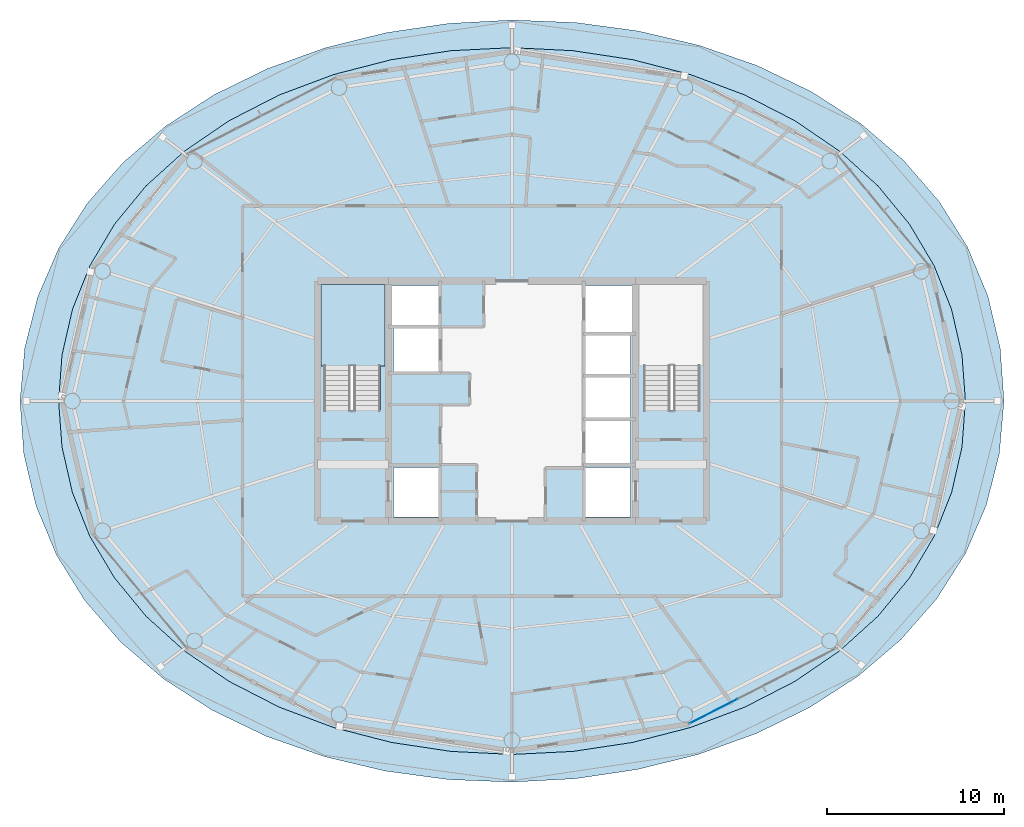
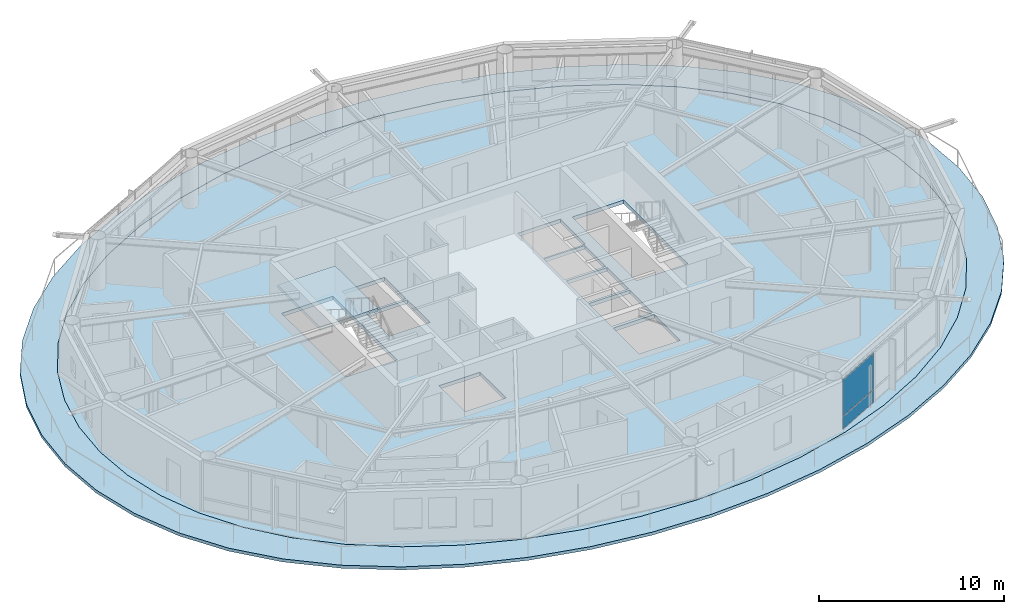
# One storey, part 13 of 23: 3 slabs, 2 plates, 2 elements without a shape of their own.
"""IFC4 building model written with IfcOpenShell, lengths in metres."""

from ifc_helpers import new_model, si_unit, direction, frame, origin, origin_2d, place, context, subcontext, project, spatial, polyline, rectangle, outline, extrude, material, layer, layer_set, type_object, element, aggregate, save


model = new_model("IFC4")

# Units and contexts
model_context = context("Model", 3, precision=1e-05, world=origin(), true_north=direction((0.0, 1.0)))
body_context = subcontext(model_context, "Body", "Model", "MODEL_VIEW")
ifc_project = project(units=[si_unit("LENGTHUNIT", "METRE"), si_unit("AREAUNIT", "SQUARE_METRE"), si_unit("VOLUMEUNIT", "CUBIC_METRE"), si_unit("PLANEANGLEUNIT", "RADIAN"), si_unit("MASSUNIT", "GRAM", prefix="KILO")], contexts=[model_context])

# Site, building, storey
site_placement = place(None, origin())
site = spatial("IfcSite", under=ifc_project, at=site_placement, CompositionType="ELEMENT")
building_placement = place(site_placement, origin())
building = spatial("IfcBuilding", under=site, at=building_placement, Name="Sarneth Arch Tower", CompositionType="ELEMENT")
storey_placement = place(building_placement, frame((0.0, 0.0, 220.800048828125)))
storey = spatial("IfcBuildingStorey", under=building, at=storey_placement, Name="L56", CompositionType="ELEMENT", Elevation=220.800048828125)

# Curtain wall, plates
ifc_material_1 = material(Name="Anodised aluminium Type AA25 and solar-control low-e laminated IGU", Category="aluminium")
ifc_layer_1 = layer(ifc_material_1, 0.179931640625)
ifc_layer_set_1 = layer_set([ifc_layer_1], Name="Anodised aluminium Type AA25 and solar-control low-e laminated IGU")
curtain_wall_type = type_object("IfcCurtainWallType", Name="CW-RES-HIGH", PredefinedType="NOTDEFINED", material=ifc_layer_set_1)
curtain_wall_placement = place(storey_placement, origin())
curtain_wall = element("IfcCurtainWall", 1, at=curtain_wall_placement, inside=storey, type_object=curtain_wall_type, Name="L56 Unitised curtain wall facet 14", PredefinedType="NOTDEFINED")
ifc_material_2 = material(Name="Solar-control low-e laminated IGU", Category="glass")
ifc_layer_2 = layer(ifc_material_2, 0.028076171875)
ifc_layer_set_2 = layer_set([ifc_layer_2], Name="Solar-control low-e laminated IGU")
plate_type = type_object("IfcPlateType", Name="CW-PANEL", PredefinedType="CURTAIN_PANEL", material=ifc_layer_set_2)
plate_1_placement = place(storey_placement, frame((59.4208984375, 24.447021484375, 0.059814453125), z_axis=(0.0, 0.0, 1.0), x_axis=(0.890009540525, 0.455941901753, 0.0)))
plate_1 = element("IfcPlate", 2, at=plate_1_placement, type_object=plate_type, Name="Curtain wall glazed vision pane CW-L56-F14/P00-00", PredefinedType="CURTAIN_PANEL", context=body_context, shape_type="SweptSolid", body=[
    extrude(rectangle(XDim=3.044677734375, YDim=0.028076171875, at=origin_2d()), origin(), (0.0, 0.0, 1.0), 0.81005859375),
])
plate_2_placement = place(storey_placement, frame((59.4208984375, 24.447021484375, 0.929931640625), z_axis=(0.0, 0.0, 1.0), x_axis=(0.890009540525, 0.455941901753, 0.0)))
plate_2 = element("IfcPlate", 3, at=plate_2_placement, type_object=plate_type, Name="Curtain wall glazed vision pane CW-L56-F14/P00-01", PredefinedType="CURTAIN_PANEL", context=body_context, shape_type="SweptSolid", body=[
    extrude(rectangle(XDim=3.044677734375, YDim=0.028076171875, at=origin_2d()), origin(), (0.0, 0.0, 1.0), 2.3701171875),
])
aggregate(curtain_wall, [plate_1, plate_2])

# Slab
ifc_material_3 = material(Name="Concrete C50/60", Category="concrete")
ifc_layer_3 = layer(ifc_material_3, 0.199951171875)
ifc_layer_set_3 = layer_set([ifc_layer_3], Name="Concrete C50/60")
slab_type_1 = type_object("IfcSlabType", Name="SLAB-BALC-200", PredefinedType="FLOOR", material=ifc_layer_set_3)
slab_1_placement = place(storey_placement, frame((0.0, 0.0, -0.199951171875)))
element("IfcSlab", 4, at=slab_1_placement, inside=storey, type_object=slab_type_1, Name="L56 Helical balcony band slab", PredefinedType="FLOOR", context=body_context, shape_type="SweptSolid", body=[
    extrude(outline(polyline([(75.844970703125, 42.0), (75.63134765625, 44.997314453125), (74.9404296875, 47.923828125), (73.782958984375, 50.708740234375), (72.176513671875, 53.2958984375), (70.145751953125, 55.6435546875), (67.724609375, 57.720703125), (64.95751953125, 59.50439453125), (61.900146484375, 60.97705078125), (58.61376953125, 62.1259765625), (55.16162109375, 62.94287109375), (51.60498046875, 63.42333984375), (48.0, 63.56591796875), (44.400390625, 63.37158203125), (40.8583984375, 62.844482421875), (37.4287109375, 61.990478515625), (34.16943359375, 60.817626953125), (31.1396484375, 59.33642578125), (28.396240234375, 57.560302734375), (25.98974609375, 55.504638671875), (23.961181640625, 53.189208984375), (22.341064453125, 50.639404296875), (21.15380859375, 47.8896484375), (20.419921875, 44.988037109375), (20.155029296875, 42.0), (20.36865234375, 39.002685546875), (21.0595703125, 36.076171875), (22.217041015625, 33.291259765625), (23.823486328125, 30.7041015625), (25.854248046875, 28.3564453125), (28.275390625, 26.279296875), (31.04248046875, 24.49560546875), (34.099853515625, 23.02294921875), (37.38623046875, 21.8740234375), (40.83837890625, 21.05712890625), (44.39501953125, 20.57666015625), (48.0, 20.43408203125), (51.599609375, 20.62841796875), (55.1416015625, 21.155517578125), (58.5712890625, 22.009521484375), (61.83056640625, 23.182373046875), (64.8603515625, 24.66357421875), (67.603759765625, 26.439697265625), (70.01025390625, 28.495361328125), (72.038818359375, 30.810791015625), (73.658935546875, 33.360595703125), (74.84619140625, 36.1103515625), (75.580078125, 39.011962890625), (75.844970703125, 42.0)]), holes=[polyline([(73.660888671875, 42.0), (73.466064453125, 44.610595703125), (72.87890625, 47.17626953125), (71.892822265625, 49.653564453125), (70.5029296875, 52.0), (68.712158203125, 54.17529296875), (66.536865234375, 56.14208984375), (64.009521484375, 57.8671875), (61.177001953125, 59.320556640625), (58.0966796875, 60.4775390625), (54.83203125, 61.318603515625), (51.44580078125, 61.828857421875), (48.0, 62.0), (44.55419921875, 61.828857421875), (41.16796875, 61.318603515625), (37.9033203125, 60.4775390625), (34.822998046875, 59.320556640625), (31.990478515625, 57.8671875), (29.463134765625, 56.14208984375), (27.287841796875, 54.17529296875), (25.4970703125, 52.0), (24.107177734375, 49.653564453125), (23.12109375, 47.17626953125), (22.533935546875, 44.610595703125), (22.339111328125, 42.0), (22.533935546875, 39.389404296875), (23.12109375, 36.82373046875), (24.107177734375, 34.346435546875), (25.4970703125, 32.0), (27.287841796875, 29.82470703125), (29.463134765625, 27.85791015625), (31.990478515625, 26.1328125), (34.822998046875, 24.679443359375), (37.9033203125, 23.5224609375), (41.16796875, 22.681396484375), (44.55419921875, 22.171142578125), (48.0, 22.0), (51.44580078125, 22.171142578125), (54.83203125, 22.681396484375), (58.0966796875, 23.5224609375), (61.177001953125, 24.679443359375), (64.009521484375, 26.1328125), (66.536865234375, 27.85791015625), (68.712158203125, 29.82470703125), (70.5029296875, 32.0), (71.892822265625, 34.346435546875), (72.87890625, 36.82373046875), (73.466064453125, 39.389404296875), (73.660888671875, 42.0)])]), origin(), (0.0, 0.0, 1.0), 0.199951171875),
])

# Stair, slab
ifc_material_4 = material(Name="Concrete C50/60", Category="concrete")
stair_type = type_object("IfcStairType", Name="STAIR-CORE-RC", PredefinedType="HALF_TURN_STAIR", material=ifc_material_4)
stair_placement = place(storey_placement, origin())
stair = element("IfcStair", 5, at=stair_placement, inside=storey, type_object=stair_type, Name="L56 Core Exit Stair 1", PredefinedType="HALF_TURN_STAIR")
ifc_material_5 = material(Name="Concrete C50/60", Category="concrete")
ifc_layer_4 = layer(ifc_material_5, 0.199951171875)
ifc_layer_set_4 = layer_set([ifc_layer_4], Name="Concrete C50/60")
slab_type_2 = type_object("IfcSlabType", Name="SLAB-LANDING-200", PredefinedType="LANDING", material=ifc_layer_set_4)
slab_2_placement = place(storey_placement, frame((0.0, 0.0, 1.599853515625)))
slab_2 = element("IfcSlab", 6, at=slab_2_placement, type_object=slab_type_2, Name="ST-1 landing 1", PredefinedType="LANDING", context=body_context, shape_type="SweptSolid", body=[
    extrude(outline(polyline([(37.199951171875, 43.985107421875), (40.800048828125, 43.985107421875), (40.800048828125, 48.60009765625), (37.199951171875, 48.60009765625), (37.199951171875, 43.985107421875)])), origin(), (0.0, 0.0, 1.0), 0.2001953125),
])
aggregate(stair, [slab_2])

# Slab
ifc_material_6 = material(Name="Concrete C50/60", Category="concrete")
ifc_layer_5 = layer(ifc_material_6, 0.239990234375)
ifc_layer_set_5 = layer_set([ifc_layer_5], Name="Concrete C50/60")
slab_type_3 = type_object("IfcSlabType", Name="SLAB-TOWER-240", PredefinedType="FLOOR", material=ifc_layer_set_5)
slab_3_placement = place(storey_placement, frame((0.0, 0.0, -0.239990234375)))
element("IfcSlab", 7, at=slab_3_placement, inside=storey, type_object=slab_type_3, Name="L56 Elliptical floor slab", PredefinedType="FLOOR", context=body_context, shape_type="SweptSolid", body=[
    extrude(outline(polyline([(73.660888671875, 42.0), (73.466064453125, 44.610595703125), (72.87890625, 47.17626953125), (71.892822265625, 49.653564453125), (70.5029296875, 52.0), (68.712158203125, 54.17529296875), (66.536865234375, 56.14208984375), (64.009521484375, 57.8671875), (61.177001953125, 59.320556640625), (58.0966796875, 60.4775390625), (54.83203125, 61.318603515625), (51.44580078125, 61.828857421875), (48.0, 62.0), (44.55419921875, 61.828857421875), (41.16796875, 61.318603515625), (37.9033203125, 60.4775390625), (34.822998046875, 59.320556640625), (31.990478515625, 57.8671875), (29.463134765625, 56.14208984375), (27.287841796875, 54.17529296875), (25.4970703125, 52.0), (24.107177734375, 49.653564453125), (23.12109375, 47.17626953125), (22.533935546875, 44.610595703125), (22.339111328125, 42.0), (22.533935546875, 39.389404296875), (23.12109375, 36.82373046875), (24.107177734375, 34.346435546875), (25.4970703125, 32.0), (27.287841796875, 29.82470703125), (29.463134765625, 27.85791015625), (31.990478515625, 26.1328125), (34.822998046875, 24.679443359375), (37.9033203125, 23.5224609375), (41.16796875, 22.681396484375), (44.55419921875, 22.171142578125), (48.0, 22.0), (51.44580078125, 22.171142578125), (54.83203125, 22.681396484375), (58.0966796875, 23.5224609375), (61.177001953125, 24.679443359375), (64.009521484375, 26.1328125), (66.536865234375, 27.85791015625), (68.712158203125, 29.82470703125), (70.5029296875, 32.0), (71.892822265625, 34.346435546875), (72.87890625, 36.82373046875), (73.466064453125, 39.389404296875), (73.660888671875, 42.0)]), holes=[polyline([(37.35009765625, 41.489990234375), (40.550048828125, 41.489990234375), (40.550048828125, 48.39990234375), (37.35009765625, 48.39990234375), (37.35009765625, 41.489990234375)]), polyline([(55.449951171875, 41.489990234375), (58.64990234375, 41.489990234375), (58.64990234375, 48.39990234375), (55.449951171875, 48.39990234375), (55.449951171875, 41.489990234375)]), polyline([(41.199951171875, 46.25), (43.85009765625, 46.25), (43.85009765625, 48.550048828125), (41.199951171875, 48.550048828125), (41.199951171875, 46.25)]), polyline([(41.300048828125, 35.449951171875), (43.85009765625, 35.449951171875), (43.85009765625, 38.25), (41.300048828125, 38.25), (41.300048828125, 35.449951171875)]), polyline([(52.14990234375, 35.449951171875), (54.699951171875, 35.449951171875), (54.699951171875, 38.25), (52.14990234375, 38.25), (52.14990234375, 35.449951171875)]), polyline([(52.14990234375, 45.85009765625), (54.800048828125, 45.85009765625), (54.800048828125, 48.550048828125), (52.14990234375, 48.550048828125), (52.14990234375, 45.85009765625)]), polyline([(41.300048828125, 43.64990234375), (43.85009765625, 43.64990234375), (43.85009765625, 46.10009765625), (41.300048828125, 46.10009765625), (41.300048828125, 43.64990234375)]), polyline([(52.14990234375, 38.449951171875), (54.699951171875, 38.449951171875), (54.699951171875, 40.89990234375), (52.14990234375, 40.89990234375), (52.14990234375, 38.449951171875)]), polyline([(52.14990234375, 41.050048828125), (54.699951171875, 41.050048828125), (54.699951171875, 43.35009765625), (52.14990234375, 43.35009765625), (52.14990234375, 41.050048828125)]), polyline([(52.14990234375, 43.5), (54.699951171875, 43.5), (54.699951171875, 45.75), (52.14990234375, 45.75), (52.14990234375, 43.5)])]), origin(), (0.0, 0.0, 1.0), 0.239990234375),
])

save(model, "model.ifc")
